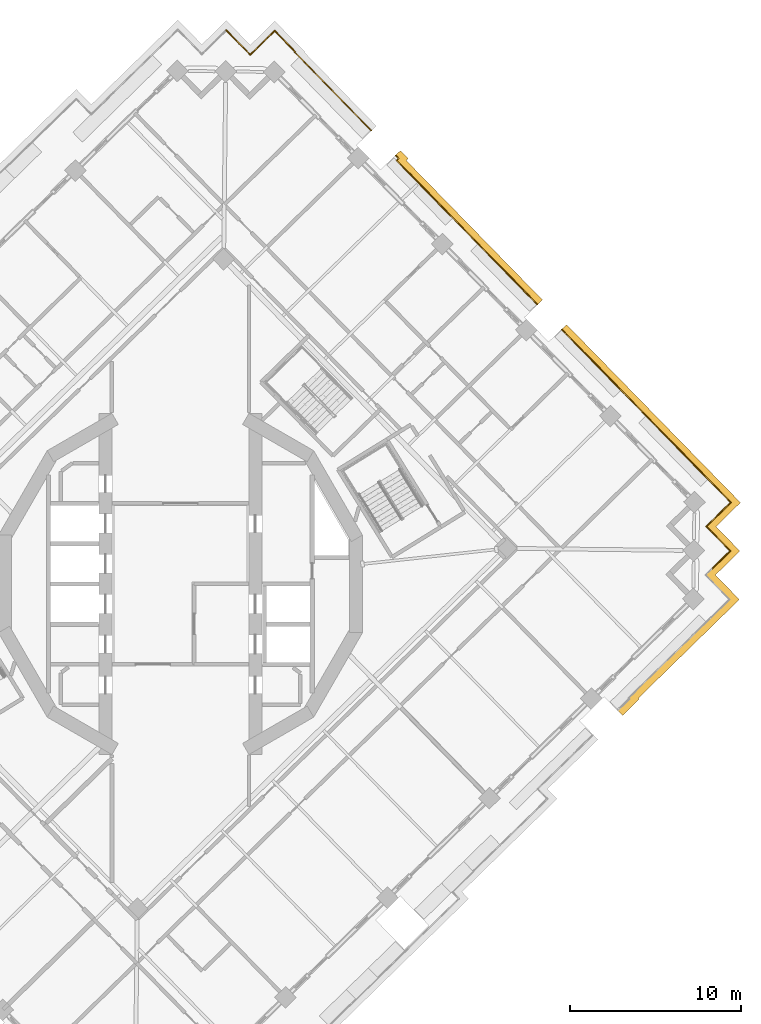
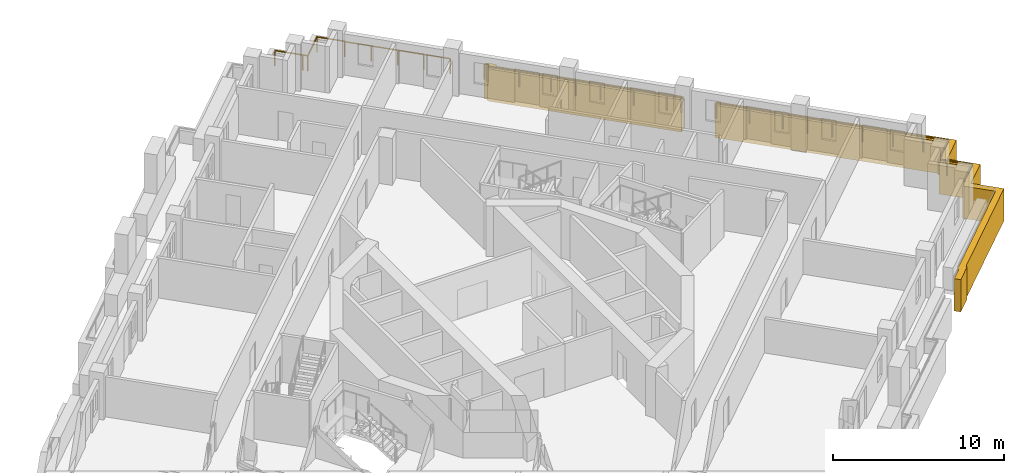
# One storey, part 16 of 17: 3 railings, 2 coverings.
"""IFC4 building model written with IfcOpenShell, lengths in metres."""

from ifc_helpers import new_model, si_unit, direction, frame, origin, origin_2d, place, context, subcontext, project, spatial, polyline, circle, outline, extrude, material, type_object, element, save


model = new_model("IFC4")

# Units and contexts
model_context = context("Model", 3, precision=1e-05, world=origin(), true_north=direction((0.0, 1.0)))
body_context = subcontext(model_context, "Body", "Model", "MODEL_VIEW")
ifc_project = project(units=[si_unit("LENGTHUNIT", "METRE"), si_unit("AREAUNIT", "SQUARE_METRE"), si_unit("VOLUMEUNIT", "CUBIC_METRE"), si_unit("PLANEANGLEUNIT", "RADIAN"), si_unit("MASSUNIT", "GRAM", prefix="KILO")], contexts=[model_context])

# Site, building, storey
site_placement = place(None, origin())
site = spatial("IfcSite", under=ifc_project, at=site_placement, CompositionType="ELEMENT")
building_placement = place(site_placement, origin())
building = spatial("IfcBuilding", under=site, at=building_placement, Name="Cantera Rosa Tower", CompositionType="ELEMENT")
storey_placement = place(building_placement, frame((0.0, 0.0, 237.800048828125)))
storey = spatial("IfcBuildingStorey", under=building, at=storey_placement, Name="L52", CompositionType="ELEMENT", Elevation=237.800048828125)

# Railings
ifc_material_1 = material(Name="Stainless steel and laminated glass", Category="steel")
railing_type = type_object("IfcRailingType", Name="GUARD 1100", PredefinedType="BALUSTRADE", material=ifc_material_1)
railing_1_placement = place(storey_placement, frame((2.67431640625, 32.3212890625, 0.0)))
element("IfcRailing", 1, at=railing_1_placement, inside=storey, type_object=railing_type, Name="GUARD L52-4", PredefinedType="BALUSTRADE", context=body_context, shape_type="SweptSolid", body=[
    extrude(circle(Radius=0.030029296875, at=origin_2d()), frame((0.0, 0.0, 1.070068359375), z_axis=(0.69880105094, -0.715316077832, 0.0), x_axis=(0.715316077832, 0.69880105094, 0.0)), (0.0, 0.0, 1.0), 1.699951171875),
    extrude(circle(Radius=0.030029296875, at=origin_2d()), frame((1.18798828125, -1.216064453125, 1.070068359375), z_axis=(0.698923489218, -0.715196445894, 0.0), x_axis=(0.715196445894, 0.698923489218, 0.0)), (0.0, 0.0, 1.0), 0.300048828125),
    extrude(circle(Radius=0.030029296875, at=origin_2d()), frame((1.397705078125, -1.4306640625, 1.070068359375), z_axis=(0.715298131827, 0.698819420598, 0.0), x_axis=(-0.698819420598, 0.715298131827, 0.0)), (0.0, 0.0, 1.0), 2.0),
    extrude(circle(Radius=0.030029296875, at=origin_2d()), frame((2.828369140625, -0.032958984375, 1.070068359375), z_axis=(0.69880105094, -0.715316077832, 0.0), x_axis=(0.715316077832, 0.69880105094, 0.0)), (0.0, 0.0, 1.0), 1.699951171875),
    extrude(circle(Radius=0.030029296875, at=origin_2d()), frame((4.016357421875, -1.2490234375, 1.070068359375), z_axis=(-0.716639490729, -0.697443790085, 0.0), x_axis=(0.697443790085, -0.716639490729, 0.0)), (0.0, 0.0, 1.0), 0.0380859375),
    extrude(circle(Radius=0.030029296875, at=origin_2d()), frame((3.989013671875, -1.275634765625, 1.070068359375), z_axis=(0.69884455656, -0.715273574072, 0.0), x_axis=(0.715273574072, 0.69884455656, 0.0)), (0.0, 0.0, 1.0), 6.389892578125),
    extrude(circle(Radius=0.02490234375, at=origin_2d()), origin(), (0.0, 0.0, 1.0), 1.0400390625),
    extrude(circle(Radius=0.02490234375, at=origin_2d()), frame((1.18798828125, -1.216064453125, 0.0)), (0.0, 0.0, 1.0), 1.0400390625),
    extrude(circle(Radius=0.02490234375, at=origin_2d()), frame((1.397705078125, -1.4306640625, 0.0)), (0.0, 0.0, 1.0), 1.0400390625),
    extrude(circle(Radius=0.02490234375, at=origin_2d()), frame((2.828369140625, -0.032958984375, 0.0)), (0.0, 0.0, 1.0), 1.0400390625),
    extrude(circle(Radius=0.02490234375, at=origin_2d()), frame((4.016357421875, -1.2490234375, 0.0)), (0.0, 0.0, 1.0), 1.0400390625),
    extrude(circle(Radius=0.02490234375, at=origin_2d()), frame((3.989013671875, -1.275634765625, 0.0)), (0.0, 0.0, 1.0), 1.0400390625),
    extrude(circle(Radius=0.02490234375, at=origin_2d()), frame((5.10546875, -2.418212890625, 0.0)), (0.0, 0.0, 1.0), 1.0400390625),
    extrude(circle(Radius=0.02490234375, at=origin_2d()), frame((6.2216796875, -3.56103515625, 0.0)), (0.0, 0.0, 1.0), 1.0400390625),
    extrude(circle(Radius=0.02490234375, at=origin_2d()), frame((7.338134765625, -4.70361328125, 0.0)), (0.0, 0.0, 1.0), 1.0400390625),
    extrude(circle(Radius=0.02490234375, at=origin_2d()), frame((8.45458984375, -5.84619140625, 0.0)), (0.0, 0.0, 1.0), 1.0400390625),
])
railing_2_placement = place(storey_placement, frame((22.26416015625, 14.845703125, 0.0)))
element("IfcRailing", 2, at=railing_2_placement, inside=storey, type_object=railing_type, Name="GUARD L52-9", PredefinedType="BALUSTRADE", context=body_context, shape_type="SweptSolid", body=[
    extrude(circle(Radius=0.030029296875, at=origin_2d()), frame((0.0, 0.0, 1.070068359375), z_axis=(0.700106234421, -0.714038696798, 0.0), x_axis=(0.714038696798, 0.700106234421, 0.0)), (0.0, 0.0, 1.0), 0.070068359375),
    extrude(circle(Radius=0.030029296875, at=origin_2d()), frame((0.049072265625, -0.050048828125, 1.070068359375), z_axis=(0.698829866575, -0.715287926351, 0.0), x_axis=(0.715287926351, 0.698829866575, 0.0)), (0.0, 0.0, 1.0), 4.02001953125),
    extrude(circle(Radius=0.030029296875, at=origin_2d()), frame((2.8583984375, -2.925537109375, 1.070068359375), z_axis=(0.698839281014, -0.715278728407, 0.0), x_axis=(0.715278728407, 0.698839281014, 0.0)), (0.0, 0.0, 1.0), 3.0),
    extrude(circle(Radius=0.030029296875, at=origin_2d()), frame((4.954833984375, -5.0712890625, 1.070068359375), z_axis=(0.698810055914, -0.715307280652, 0.0), x_axis=(0.715307280652, 0.698810055914, 0.0)), (0.0, 0.0, 1.0), 5.52001953125),
    extrude(circle(Radius=0.030029296875, at=origin_2d()), frame((8.812255859375, -9.019775390625, 1.070068359375), z_axis=(0.698921594874, -0.71519829713, 0.0), x_axis=(0.71519829713, 0.698921594874, 0.0)), (0.0, 0.0, 1.0), 1.5),
    extrude(circle(Radius=0.030029296875, at=origin_2d()), frame((9.860595703125, -10.092529296875, 1.070068359375), z_axis=(-0.715277793538, -0.698840237873, 0.0), x_axis=(0.698840237873, -0.715277793538, 0.0)), (0.0, 0.0, 1.0), 1.5),
    extrude(circle(Radius=0.030029296875, at=origin_2d()), frame((8.78759765625, -11.140869140625, 1.070068359375), z_axis=(-0.715359149995, -0.698756958118, 0.0), x_axis=(0.698756958118, -0.715359149995, 0.0)), (0.0, 0.0, 1.0), 0.5),
    extrude(circle(Radius=0.030029296875, at=origin_2d()), frame((8.429931640625, -11.490234375, 1.070068359375), z_axis=(0.699006712162, -0.715115107065, 0.0), x_axis=(0.715115107065, 0.699006712162, 0.0)), (0.0, 0.0, 1.0), 0.500244140625),
    extrude(circle(Radius=0.030029296875, at=origin_2d()), frame((8.779541015625, -11.847900390625, 1.070068359375), z_axis=(0.698756958118, -0.715359149995, 0.0), x_axis=(0.715359149995, 0.698756958118, 0.0)), (0.0, 0.0, 1.0), 1.5),
    extrude(circle(Radius=0.030029296875, at=origin_2d()), frame((9.82763671875, -12.9208984375, 1.070068359375), z_axis=(-0.71519829713, -0.698921594874, 0.0), x_axis=(0.698921594874, -0.71519829713, 0.0)), (0.0, 0.0, 1.0), 1.5),
    extrude(circle(Radius=0.02490234375, at=origin_2d()), origin(), (0.0, 0.0, 1.0), 1.0400390625),
    extrude(circle(Radius=0.02490234375, at=origin_2d()), frame((0.049072265625, -0.050048828125, 0.0)), (0.0, 0.0, 1.0), 1.0400390625),
    extrude(circle(Radius=0.02490234375, at=origin_2d()), frame((1.45361328125, -1.48779296875, 0.0)), (0.0, 0.0, 1.0), 1.0400390625),
    extrude(circle(Radius=0.02490234375, at=origin_2d()), frame((2.8583984375, -2.925537109375, 0.0)), (0.0, 0.0, 1.0), 1.0400390625),
    extrude(circle(Radius=0.02490234375, at=origin_2d()), frame((3.90673828125, -3.99853515625, 0.0)), (0.0, 0.0, 1.0), 1.0400390625),
    extrude(circle(Radius=0.02490234375, at=origin_2d()), frame((4.954833984375, -5.0712890625, 0.0)), (0.0, 0.0, 1.0), 1.0400390625),
    extrude(circle(Radius=0.02490234375, at=origin_2d()), frame((6.24072265625, -6.387451171875, 0.0)), (0.0, 0.0, 1.0), 1.0400390625),
    extrude(circle(Radius=0.02490234375, at=origin_2d()), frame((7.5263671875, -7.70361328125, 0.0)), (0.0, 0.0, 1.0), 1.0400390625),
    extrude(circle(Radius=0.02490234375, at=origin_2d()), frame((8.812255859375, -9.019775390625, 0.0)), (0.0, 0.0, 1.0), 1.0400390625),
    extrude(circle(Radius=0.02490234375, at=origin_2d()), frame((9.860595703125, -10.092529296875, 0.0)), (0.0, 0.0, 1.0), 1.0400390625),
    extrude(circle(Radius=0.02490234375, at=origin_2d()), frame((8.78759765625, -11.140869140625, 0.0)), (0.0, 0.0, 1.0), 1.0400390625),
    extrude(circle(Radius=0.02490234375, at=origin_2d()), frame((8.429931640625, -11.490234375, 0.0)), (0.0, 0.0, 1.0), 1.0400390625),
    extrude(circle(Radius=0.02490234375, at=origin_2d()), frame((8.779541015625, -11.847900390625, 0.0)), (0.0, 0.0, 1.0), 1.0400390625),
    extrude(circle(Radius=0.02490234375, at=origin_2d()), frame((9.82763671875, -12.9208984375, 0.0)), (0.0, 0.0, 1.0), 1.0400390625),
    extrude(circle(Radius=0.02490234375, at=origin_2d()), frame((8.7548828125, -13.96923828125, 0.0)), (0.0, 0.0, 1.0), 1.0400390625),
])
railing_3_placement = place(storey_placement, frame((12.568603515625, 25.001708984375, 0.0)))
element("IfcRailing", 3, at=railing_3_placement, inside=storey, type_object=railing_type, Name="GUARD L52-10", PredefinedType="BALUSTRADE", context=body_context, shape_type="SweptSolid", body=[
    extrude(circle(Radius=0.030029296875, at=origin_2d()), frame((0.0, 0.0, 1.070068359375), z_axis=(0.698639338313, -0.715474021164, 0.0), x_axis=(0.715474021164, 0.698639338313, 0.0)), (0.0, 0.0, 1.0), 0.23193359375),
    extrude(circle(Radius=0.030029296875, at=origin_2d()), frame((0.162109375, -0.166015625, 1.070068359375), z_axis=(-0.715341165178, -0.698775369774, 0.0), x_axis=(0.698775369774, -0.715341165178, 0.0)), (0.0, 0.0, 1.0), 0.162109375),
    extrude(circle(Radius=0.030029296875, at=origin_2d()), frame((0.046142578125, -0.279296875, 1.070068359375), z_axis=(0.698832156495, -0.715285689112, 0.0), x_axis=(0.715285689112, 0.698832156495, 0.0)), (0.0, 0.0, 1.0), 3.85791015625),
    extrude(circle(Radius=0.030029296875, at=origin_2d()), frame((2.7421875, -3.038818359375, 1.070068359375), z_axis=(0.698840237873, -0.715277793538, 0.0), x_axis=(0.715277793538, 0.698840237873, 0.0)), (0.0, 0.0, 1.0), 3.000244140625),
    extrude(circle(Radius=0.030029296875, at=origin_2d()), frame((4.8388671875, -5.184814453125, 1.070068359375), z_axis=(0.698860224463, -0.715258265708, 0.0), x_axis=(0.715258265708, 0.698860224463, 0.0)), (0.0, 0.0, 1.0), 4.019775390625),
    extrude(circle(Radius=0.030029296875, at=origin_2d()), frame((7.648193359375, -8.06005859375, 1.070068359375), z_axis=(0.698779602308, -0.715337030636, 0.0), x_axis=(0.715337030636, 0.698779602308, 0.0)), (0.0, 0.0, 1.0), 0.869873046875),
    extrude(circle(Radius=0.02490234375, at=origin_2d()), origin(), (0.0, 0.0, 1.0), 1.0400390625),
    extrude(circle(Radius=0.02490234375, at=origin_2d()), frame((0.162109375, -0.166015625, 0.0)), (0.0, 0.0, 1.0), 1.0400390625),
    extrude(circle(Radius=0.02490234375, at=origin_2d()), frame((0.046142578125, -0.279296875, 0.0)), (0.0, 0.0, 1.0), 1.0400390625),
    extrude(circle(Radius=0.02490234375, at=origin_2d()), frame((1.39404296875, -1.6591796875, 0.0)), (0.0, 0.0, 1.0), 1.0400390625),
    extrude(circle(Radius=0.02490234375, at=origin_2d()), frame((2.7421875, -3.038818359375, 0.0)), (0.0, 0.0, 1.0), 1.0400390625),
    extrude(circle(Radius=0.02490234375, at=origin_2d()), frame((3.79052734375, -4.11181640625, 0.0)), (0.0, 0.0, 1.0), 1.0400390625),
    extrude(circle(Radius=0.02490234375, at=origin_2d()), frame((4.8388671875, -5.184814453125, 0.0)), (0.0, 0.0, 1.0), 1.0400390625),
    extrude(circle(Radius=0.02490234375, at=origin_2d()), frame((6.24365234375, -6.62255859375, 0.0)), (0.0, 0.0, 1.0), 1.0400390625),
    extrude(circle(Radius=0.02490234375, at=origin_2d()), frame((7.648193359375, -8.06005859375, 0.0)), (0.0, 0.0, 1.0), 1.0400390625),
    extrude(circle(Radius=0.02490234375, at=origin_2d()), frame((8.256103515625, -8.682373046875, 0.0)), (0.0, 0.0, 1.0), 1.0400390625),
])

# Coverings
ifc_material_2 = material(Name="Cantera stone", Category="masonry")
covering_type = type_object("IfcCoveringType", Name="TRAY FASCIA 400", PredefinedType="CLADDING", material=ifc_material_2)
covering_1_placement = place(storey_placement, frame((0.0, 0.0, -1.400146484375)))
element("IfcCovering", 4, at=covering_1_placement, inside=storey, type_object=covering_type, Name="TRAY FASCIA L52-05", PredefinedType="CLADDING", context=body_context, shape_type="SweptSolid", body=[
    extrude(outline(polyline([(13.29638671875, 24.8291015625), (13.180419921875, 24.7158203125), (15.596923828125, 22.242431640625), (17.693603515625, 20.096435546875), (20.502685546875, 17.22119140625), (21.124755859375, 16.58447265625), (20.838623046875, 16.304931640625), (20.216796875, 16.941650390625), (17.407470703125, 19.81689453125), (15.310791015625, 21.962890625), (12.61474609375, 24.722412109375), (12.730712890625, 24.835693359375), (12.5546875, 25.015869140625), (12.840576171875, 25.29541015625), (13.29638671875, 24.8291015625)])), origin(), (0.0, 0.0, 1.0), 2.300048828125),
])
covering_2_placement = place(storey_placement, frame((0.0, 0.0, -1.400146484375)))
element("IfcCovering", 5, at=covering_2_placement, inside=storey, type_object=covering_type, Name="TRAY FASCIA L52-06", PredefinedType="CLADDING", context=body_context, shape_type="SweptSolid", body=[
    extrude(outline(polyline([(22.599365234375, 15.0751953125), (25.40869140625, 12.19970703125), (27.505126953125, 10.053955078125), (31.362548828125, 6.10546875), (32.6904296875, 4.74658203125), (31.331298828125, 3.418701171875), (31.259765625, 3.348876953125), (31.329833984375, 3.27734375), (32.657470703125, 1.918212890625), (31.298583984375, 0.590576171875), (31.22705078125, 0.5205078125), (32.62451171875, -0.909912109375), (31.265625, -2.23779296875), (26.730712890625, -6.668212890625), (26.786865234375, -6.7255859375), (25.806640625, -7.68310546875), (25.527099609375, -7.39697265625), (26.22119140625, -6.718994140625), (26.1650390625, -6.66162109375), (30.986083984375, -1.95166015625), (32.058837890625, -0.9033203125), (31.0107421875, 0.16943359375), (30.661376953125, 0.527099609375), (31.01904296875, 0.87646484375), (32.091796875, 1.9248046875), (31.043701171875, 2.997802734375), (30.694091796875, 3.35546875), (31.0517578125, 3.704833984375), (32.124755859375, 4.753173828125), (31.076416015625, 5.825927734375), (27.218994140625, 9.7744140625), (25.12255859375, 11.920166015625), (22.313232421875, 14.795654296875), (22.250244140625, 14.860107421875), (22.536376953125, 15.1396484375), (22.599365234375, 15.0751953125)])), origin(), (0.0, 0.0, 1.0), 2.300048828125),
])

save(model, "model.ifc")
